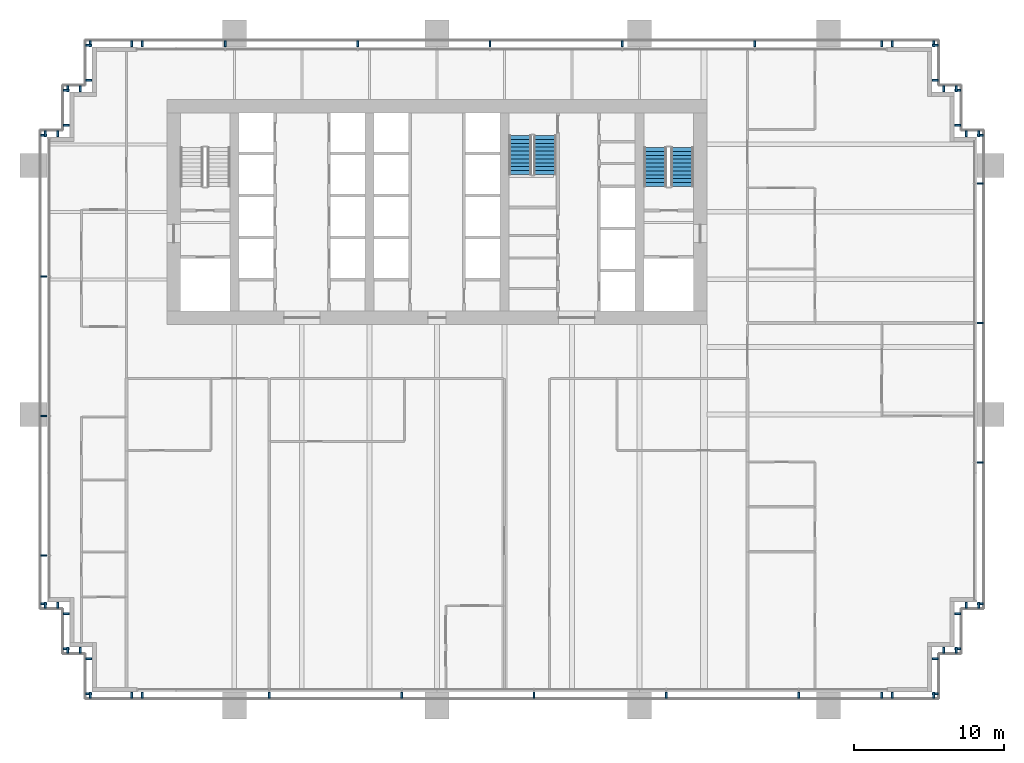
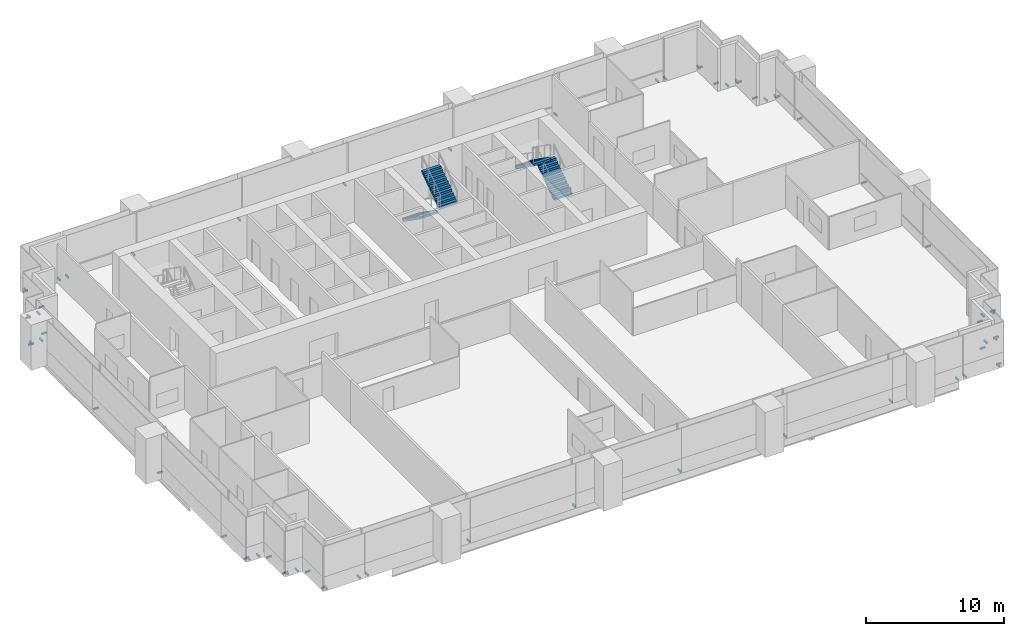
# One storey, part 16 of 19: 64 discrete accessories, 4 stair flights, 2 elements without a shape of their own.
"""IFC4 building model written with IfcOpenShell, lengths in metres."""

from ifc_helpers import new_model, si_unit, direction, frame, origin, origin_2d, place, context, subcontext, project, spatial, polyline, rectangle, outline, extrude, material, type_object, element, aggregate, save


model = new_model("IFC4")

# Units and contexts
model_context = context("Model", 3, precision=1e-05, world=origin(), true_north=direction((0.0, 1.0)))
body_context = subcontext(model_context, "Body", "Model", "MODEL_VIEW")
ifc_project = project(units=[si_unit("LENGTHUNIT", "METRE"), si_unit("AREAUNIT", "SQUARE_METRE"), si_unit("VOLUMEUNIT", "CUBIC_METRE"), si_unit("PLANEANGLEUNIT", "RADIAN"), si_unit("MASSUNIT", "GRAM", prefix="KILO")], contexts=[model_context])

# Site, building, storey
site_placement = place(None, origin())
site = spatial("IfcSite", under=ifc_project, at=site_placement, CompositionType="ELEMENT")
building_placement = place(site_placement, origin())
building = spatial("IfcBuilding", under=site, at=building_placement, Name="Rattan Terrace Tower", CompositionType="ELEMENT")
storey_placement = place(building_placement, frame((0.0, 0.0, 99.699951171875)))
storey = spatial("IfcBuildingStorey", under=building, at=storey_placement, Name="L22", CompositionType="ELEMENT", Elevation=99.699951171875)

# Stair, stair flights
ifc_material_1 = material(Name="Concrete C40/50", Category="concrete")
stair_type = type_object("IfcStairType", Name="Core exit stair 1500", PredefinedType="HALF_TURN_STAIR", material=ifc_material_1)
stair_1_placement = place(storey_placement, origin())
stair_1 = element("IfcStair", 1, at=stair_1_placement, inside=storey, type_object=stair_type, Name="L22 exit stair 2", PredefinedType="HALF_TURN_STAIR")
ifc_material_2 = material(Name="Concrete C40/50", Category="concrete")
stair_flight_type = type_object("IfcStairFlightType", Name="Core exit stair flight 1500", PredefinedType="STRAIGHT", material=ifc_material_2)
stair_flight_1_placement = place(storey_placement, frame((16.35009765625, 1.699951171875, 0.0), z_axis=(0.0, 0.0, 1.0), x_axis=(0.0, 1.0, 0.0)))
stair_flight_1 = element("IfcStairFlight", 2, at=stair_flight_1_placement, type_object=stair_flight_type, Name="S2 flight 1", NumberOfRisers=11, NumberOfTreads=10, PredefinedType="STRAIGHT", RiserHeight=0.181818182, TreadLength=0.26, context=body_context, shape_type="SweptSolid", body=[
    extrude(outline(polyline([(0.0, 0.0), (0.0, 0.181884765625), (0.260009765625, 0.181884765625), (0.260009765625, 0.363525390625), (0.52001953125, 0.363525390625), (0.52001953125, 0.54541015625), (0.780029296875, 0.54541015625), (0.780029296875, 0.727294921875), (1.0400390625, 0.727294921875), (1.0400390625, 0.9091796875), (1.300048828125, 0.9091796875), (1.300048828125, 1.0908203125), (1.56005859375, 1.0908203125), (1.56005859375, 1.272705078125), (1.820068359375, 1.272705078125), (1.820068359375, 1.45458984375), (2.080078125, 1.45458984375), (2.080078125, 1.636474609375), (2.340087890625, 1.636474609375), (2.340087890625, 1.818115234375), (2.60009765625, 1.818115234375), (2.60009765625, 2.0), (2.60009765625, 1.63525390625), (0.261474609375, 0.0), (0.0, 0.0)])), frame((0.0, 0.75, 0.0), z_axis=(0.0, -1.0, 0.0), x_axis=(1.0, 0.0, 0.0)), (0.0, 0.0, 1.0), 1.5),
])
stair_flight_2_placement = place(storey_placement, frame((14.550048828125, 4.300048828125, 2.0), z_axis=(0.0, 0.0, 1.0), x_axis=(0.0, -1.0, 0.0)))
stair_flight_2 = element("IfcStairFlight", 3, at=stair_flight_2_placement, type_object=stair_flight_type, Name="S2 flight 2", NumberOfRisers=11, NumberOfTreads=10, PredefinedType="STRAIGHT", RiserHeight=0.181818182, TreadLength=0.26, context=body_context, shape_type="SweptSolid", body=[
    extrude(outline(polyline([(0.0, 0.0), (0.0, 0.181884765625), (0.260009765625, 0.181884765625), (0.260009765625, 0.363525390625), (0.52001953125, 0.363525390625), (0.52001953125, 0.54541015625), (0.780029296875, 0.54541015625), (0.780029296875, 0.727294921875), (1.0400390625, 0.727294921875), (1.0400390625, 0.9091796875), (1.300048828125, 0.9091796875), (1.300048828125, 1.0908203125), (1.56005859375, 1.0908203125), (1.56005859375, 1.272705078125), (1.820068359375, 1.272705078125), (1.820068359375, 1.45458984375), (2.080078125, 1.45458984375), (2.080078125, 1.636474609375), (2.340087890625, 1.636474609375), (2.340087890625, 1.818115234375), (2.60009765625, 1.818115234375), (2.60009765625, 2.0), (2.60009765625, 1.63525390625), (0.261474609375, 0.0), (0.0, 0.0)])), frame((0.0, 0.75, 0.0), z_axis=(0.0, -1.0, 0.0), x_axis=(1.0, 0.0, 0.0)), (0.0, 0.0, 1.0), 1.5),
])
aggregate(stair_1, [stair_flight_1, stair_flight_2])

stair_2_placement = place(storey_placement, origin())
stair_2 = element("IfcStair", 4, at=stair_2_placement, inside=storey, type_object=stair_type, Name="L22 exit stair 3", PredefinedType="HALF_TURN_STAIR")
stair_flight_3_placement = place(storey_placement, frame((5.550048828125, 5.10009765625, 0.0), z_axis=(0.0, 0.0, 1.0), x_axis=(0.0, -1.0, 0.0)))
stair_flight_3 = element("IfcStairFlight", 5, at=stair_flight_3_placement, type_object=stair_flight_type, Name="S3 flight 1", NumberOfRisers=11, NumberOfTreads=10, PredefinedType="STRAIGHT", RiserHeight=0.181818182, TreadLength=0.26, context=body_context, shape_type="SweptSolid", body=[
    extrude(outline(polyline([(0.0, 0.0), (0.0, 0.181884765625), (0.260009765625, 0.181884765625), (0.260009765625, 0.363525390625), (0.52001953125, 0.363525390625), (0.52001953125, 0.54541015625), (0.780029296875, 0.54541015625), (0.780029296875, 0.727294921875), (1.0400390625, 0.727294921875), (1.0400390625, 0.9091796875), (1.300048828125, 0.9091796875), (1.300048828125, 1.0908203125), (1.56005859375, 1.0908203125), (1.56005859375, 1.272705078125), (1.820068359375, 1.272705078125), (1.820068359375, 1.45458984375), (2.080078125, 1.45458984375), (2.080078125, 1.636474609375), (2.340087890625, 1.636474609375), (2.340087890625, 1.818115234375), (2.60009765625, 1.818115234375), (2.60009765625, 2.0), (2.60009765625, 1.63525390625), (0.261474609375, 0.0), (0.0, 0.0)])), frame((0.0, 0.75, 0.0), z_axis=(0.0, -1.0, 0.0), x_axis=(1.0, 0.0, 0.0)), (0.0, 0.0, 1.0), 1.5),
])
stair_flight_4_placement = place(storey_placement, frame((7.199951171875, 2.5, 2.0), z_axis=(0.0, 0.0, 1.0), x_axis=(0.0, 1.0, 0.0)))
stair_flight_4 = element("IfcStairFlight", 6, at=stair_flight_4_placement, type_object=stair_flight_type, Name="S3 flight 2", NumberOfRisers=11, NumberOfTreads=10, PredefinedType="STRAIGHT", RiserHeight=0.181818182, TreadLength=0.26, context=body_context, shape_type="SweptSolid", body=[
    extrude(outline(polyline([(0.0, 0.0), (0.0, 0.181884765625), (0.260009765625, 0.181884765625), (0.260009765625, 0.363525390625), (0.52001953125, 0.363525390625), (0.52001953125, 0.54541015625), (0.780029296875, 0.54541015625), (0.780029296875, 0.727294921875), (1.0400390625, 0.727294921875), (1.0400390625, 0.9091796875), (1.300048828125, 0.9091796875), (1.300048828125, 1.0908203125), (1.56005859375, 1.0908203125), (1.56005859375, 1.272705078125), (1.820068359375, 1.272705078125), (1.820068359375, 1.45458984375), (2.080078125, 1.45458984375), (2.080078125, 1.636474609375), (2.340087890625, 1.636474609375), (2.340087890625, 1.818115234375), (2.60009765625, 1.818115234375), (2.60009765625, 2.0), (2.60009765625, 1.63525390625), (0.261474609375, 0.0), (0.0, 0.0)])), frame((0.0, 0.75, 0.0), z_axis=(0.0, -1.0, 0.0), x_axis=(1.0, 0.0, 0.0)), (0.0, 0.0, 1.0), 1.5),
])
aggregate(stair_2, [stair_flight_3, stair_flight_4])

# Discrete accessories
for number, where, z_axis, x_axis, name in (
    (7, (30.340087890625, -32.2099609375, -0.169921875), (0.0, 0.0, 1.0), (1.0, 0.0, 0.0), "Panel bracket L22-1"),
    (8, (33.110107421875, -32.2099609375, -0.169921875), (0.0, 0.0, 1.0), (1.0, 0.0, 0.0), "Panel bracket L22-2"),
    (9, (33.2099609375, -32.110107421875, -0.169921875), (0.0, 0.0, 1.0), (0.0, 1.0, 0.0), "Panel bracket L22-3"),
    (10, (33.2099609375, -29.7900390625, -0.169921875), (0.0, 0.0, 1.0), (0.0, 1.0, 0.0), "Panel bracket L22-4"),
    (11, (33.7900390625, -29.2099609375, -0.169921875), (0.0, 0.0, 1.0), (1.0, 0.0, 0.0), "Panel bracket L22-5"),
    (12, (34.610107421875, -29.2099609375, -0.169921875), (0.0, 0.0, 1.0), (1.0, 0.0, 0.0), "Panel bracket L22-6"),
    (13, (34.7099609375, -29.110107421875, -0.169921875), (0.0, 0.0, 1.0), (0.0, 1.0, 0.0), "Panel bracket L22-7"),
    (14, (34.7099609375, -26.7900390625, -0.169921875), (0.0, 0.0, 1.0), (0.0, 1.0, 0.0), "Panel bracket L22-8"),
    (15, (35.2900390625, -26.2099609375, -0.169921875), (0.0, 0.0, 1.0), (1.0, 0.0, 0.0), "Panel bracket L22-9"),
    (16, (36.110107421875, -26.2099609375, -0.169921875), (0.0, 0.0, 1.0), (1.0, 0.0, 0.0), "Panel bracket L22-10"),
    (17, (36.2099609375, -26.110107421875, -0.169921875), (0.0, 0.0, 1.0), (0.0, 1.0, 0.0), "Panel bracket L22-11"),
    (18, (36.2099609375, -16.699951171875, -0.169921875), (0.0, 0.0, 1.0), (0.0, 1.0, 0.0), "Panel bracket L22-12"),
    (19, (36.2099609375, -7.39990234375, -0.169921875), (0.0, 0.0, 1.0), (0.0, 1.0, 0.0), "Panel bracket L22-13"),
    (20, (36.2099609375, 1.89990234375, -0.169921875), (0.0, 0.0, 1.0), (0.0, 1.0, 0.0), "Panel bracket L22-14"),
    (21, (36.2099609375, 5.110107421875, -0.169921875), (0.0, 0.0, 1.0), (0.0, 1.0, 0.0), "Panel bracket L22-15"),
    (22, (36.110107421875, 5.2099609375, -0.169921875), (0.0, 0.0, 1.0), (-1.0, 0.0, 0.0), "Panel bracket L22-16"),
    (23, (35.2900390625, 5.2099609375, -0.169921875), (0.0, 0.0, 1.0), (-1.0, 0.0, 0.0), "Panel bracket L22-17"),
    (24, (34.7099609375, 5.7900390625, -0.169921875), (0.0, 0.0, 1.0), (0.0, 1.0, 0.0), "Panel bracket L22-18"),
    (25, (34.7099609375, 8.110107421875, -0.169921875), (0.0, 0.0, 1.0), (0.0, 1.0, 0.0), "Panel bracket L22-19"),
    (26, (34.610107421875, 8.2099609375, -0.169921875), (0.0, 0.0, 1.0), (-1.0, 0.0, 0.0), "Panel bracket L22-20"),
    (27, (33.7900390625, 8.2099609375, -0.169921875), (0.0, 0.0, 1.0), (-1.0, 0.0, 0.0), "Panel bracket L22-21"),
    (28, (33.2099609375, 8.7900390625, -0.169921875), (0.0, 0.0, 1.0), (0.0, 1.0, 0.0), "Panel bracket L22-22"),
    (29, (33.2099609375, 11.110107421875, -0.169921875), (0.0, 0.0, 1.0), (0.0, 1.0, 0.0), "Panel bracket L22-23"),
    (30, (33.110107421875, 11.2099609375, -0.169921875), (0.0, 0.0, 1.0), (-1.0, 0.0, 0.0), "Panel bracket L22-24"),
    (31, (30.340087890625, 11.2099609375, -0.169921875), (0.0, 0.0, 1.0), (-1.0, 0.0, 0.0), "Panel bracket L22-25"),
    (32, (29.659912109375, 11.2099609375, -0.169921875), (0.0, 0.0, 1.0), (-1.0, 0.0, 0.0), "Panel bracket L22-26"),
    (33, (21.177001953125, 11.2099609375, -0.169921875), (0.0, 0.0, 1.0), (-1.0, 0.0, 0.0), "Panel bracket L22-27"),
    (34, (12.35400390625, 11.2099609375, -0.169921875), (0.0, 0.0, 1.0), (-1.0, 0.0, 0.0), "Panel bracket L22-28"),
    (35, (3.531005859375, 11.2099609375, -0.169921875), (0.0, 0.0, 1.0), (-1.0, 0.0, 0.0), "Panel bracket L22-29"),
    (36, (-5.2919921875, 11.2099609375, -0.169921875), (0.0, 0.0, 1.0), (-1.0, 0.0, 0.0), "Panel bracket L22-30"),
    (37, (-14.114990234375, 11.2099609375, -0.169921875), (0.0, 0.0, 1.0), (-1.0, 0.0, 0.0), "Panel bracket L22-31"),
    (38, (-19.659912109375, 11.2099609375, -0.169921875), (0.0, 0.0, 1.0), (-1.0, 0.0, 0.0), "Panel bracket L22-32"),
    (39, (-20.340087890625, 11.2099609375, -0.169921875), (0.0, 0.0, 1.0), (-1.0, 0.0, 0.0), "Panel bracket L22-33"),
    (40, (-23.110107421875, 11.2099609375, -0.169921875), (0.0, 0.0, 1.0), (-1.0, 0.0, 0.0), "Panel bracket L22-34"),
    (41, (-23.2099609375, 11.110107421875, -0.169921875), (0.0, 0.0, 1.0), (0.0, -1.0, 0.0), "Panel bracket L22-35"),
    (42, (-23.2099609375, 8.7900390625, -0.169921875), (0.0, 0.0, 1.0), (0.0, -1.0, 0.0), "Panel bracket L22-36"),
    (43, (-23.7900390625, 8.2099609375, -0.169921875), (0.0, 0.0, 1.0), (-1.0, 0.0, 0.0), "Panel bracket L22-37"),
    (44, (-24.610107421875, 8.2099609375, -0.169921875), (0.0, 0.0, 1.0), (-1.0, 0.0, 0.0), "Panel bracket L22-38"),
    (45, (-24.7099609375, 8.110107421875, -0.169921875), (0.0, 0.0, 1.0), (0.0, -1.0, 0.0), "Panel bracket L22-39"),
    (46, (-24.7099609375, 5.7900390625, -0.169921875), (0.0, 0.0, 1.0), (0.0, -1.0, 0.0), "Panel bracket L22-40"),
    (47, (-25.2900390625, 5.2099609375, -0.169921875), (0.0, 0.0, 1.0), (-1.0, 0.0, 0.0), "Panel bracket L22-41"),
    (48, (-26.110107421875, 5.2099609375, -0.169921875), (0.0, 0.0, 1.0), (-1.0, 0.0, 0.0), "Panel bracket L22-42"),
    (49, (-26.2099609375, 5.110107421875, -0.169921875), (0.0, 0.0, 1.0), (0.0, -1.0, 0.0), "Panel bracket L22-43"),
    (50, (-26.2099609375, -4.300048828125, -0.169921875), (0.0, 0.0, 1.0), (0.0, -1.0, 0.0), "Panel bracket L22-44"),
    (51, (-26.2099609375, -13.60009765625, -0.169921875), (0.0, 0.0, 1.0), (0.0, -1.0, 0.0), "Panel bracket L22-45"),
    (52, (-26.2099609375, -22.89990234375, -0.169921875), (0.0, 0.0, 1.0), (0.0, -1.0, 0.0), "Panel bracket L22-46"),
    (53, (-26.2099609375, -26.110107421875, -0.169921875), (0.0, 0.0, 1.0), (0.0, -1.0, 0.0), "Panel bracket L22-47"),
    (54, (-26.110107421875, -26.2099609375, -0.169921875), (0.0, 0.0, 1.0), (1.0, 0.0, 0.0), "Panel bracket L22-48"),
    (55, (-25.2900390625, -26.2099609375, -0.169921875), (0.0, 0.0, 1.0), (1.0, 0.0, 0.0), "Panel bracket L22-49"),
    (56, (-24.7099609375, -26.7900390625, -0.169921875), (0.0, 0.0, 1.0), (0.0, -1.0, 0.0), "Panel bracket L22-50"),
    (57, (-24.7099609375, -29.110107421875, -0.169921875), (0.0, 0.0, 1.0), (0.0, -1.0, 0.0), "Panel bracket L22-51"),
    (58, (-24.610107421875, -29.2099609375, -0.169921875), (0.0, 0.0, 1.0), (1.0, 0.0, 0.0), "Panel bracket L22-52"),
    (59, (-23.7900390625, -29.2099609375, -0.169921875), (0.0, 0.0, 1.0), (1.0, 0.0, 0.0), "Panel bracket L22-53"),
    (60, (-23.2099609375, -29.7900390625, -0.169921875), (0.0, 0.0, 1.0), (0.0, -1.0, 0.0), "Panel bracket L22-54"),
    (61, (-23.2099609375, -32.110107421875, -0.169921875), (0.0, 0.0, 1.0), (0.0, -1.0, 0.0), "Panel bracket L22-55"),
    (62, (-23.110107421875, -32.2099609375, -0.169921875), (0.0, 0.0, 1.0), (1.0, 0.0, 0.0), "Panel bracket L22-56"),
    (63, (-20.340087890625, -32.2099609375, -0.169921875), (0.0, 0.0, 1.0), (1.0, 0.0, 0.0), "Panel bracket L22-57"),
    (64, (-19.659912109375, -32.2099609375, -0.169921875), (0.0, 0.0, 1.0), (1.0, 0.0, 0.0), "Panel bracket L22-58"),
    (65, (-11.177001953125, -32.2099609375, -0.169921875), (0.0, 0.0, 1.0), (1.0, 0.0, 0.0), "Panel bracket L22-59"),
    (66, (-2.35400390625, -32.2099609375, -0.169921875), (0.0, 0.0, 1.0), (1.0, 0.0, 0.0), "Panel bracket L22-60"),
    (67, (6.468994140625, -32.2099609375, -0.169921875), (0.0, 0.0, 1.0), (1.0, 0.0, 0.0), "Panel bracket L22-61"),
    (68, (15.2919921875, -32.2099609375, -0.169921875), (0.0, 0.0, 1.0), (1.0, 0.0, 0.0), "Panel bracket L22-62"),
    (69, (24.114990234375, -32.2099609375, -0.169921875), (0.0, 0.0, 1.0), (1.0, 0.0, 0.0), "Panel bracket L22-63"),
    (70, (29.659912109375, -32.2099609375, -0.169921875), (0.0, 0.0, 1.0), (1.0, 0.0, 0.0), "Panel bracket L22-64"),
):
    element("IfcDiscreteAccessory", number, at=place(storey_placement, frame(where, z_axis=z_axis, x_axis=x_axis)), inside=storey, Name=name, PredefinedType="BRACKET", context=body_context, shape_type="SweptSolid", body=[
        extrude(rectangle(XDim=0.1201171875, YDim=0.419921875, at=origin_2d()), origin(), (0.0, 0.0, 1.0), 0.139892578125),
    ])

save(model, "model.ifc")
